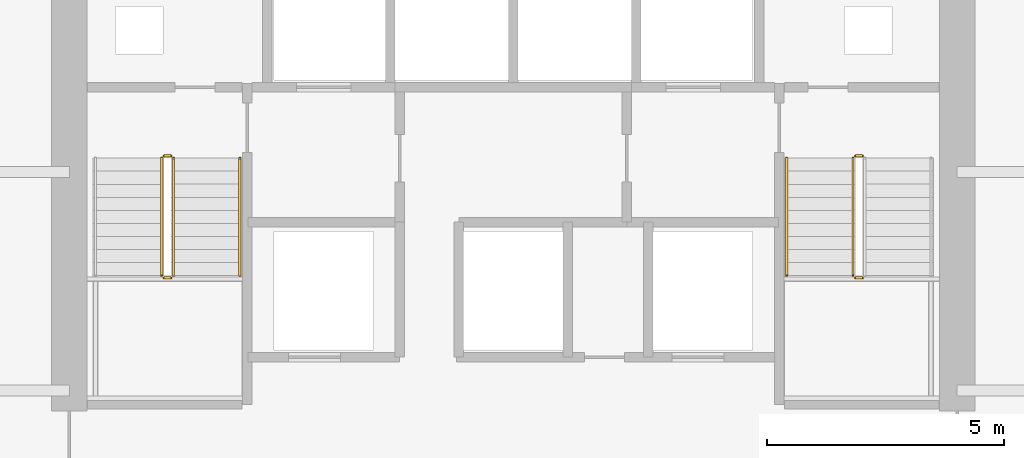
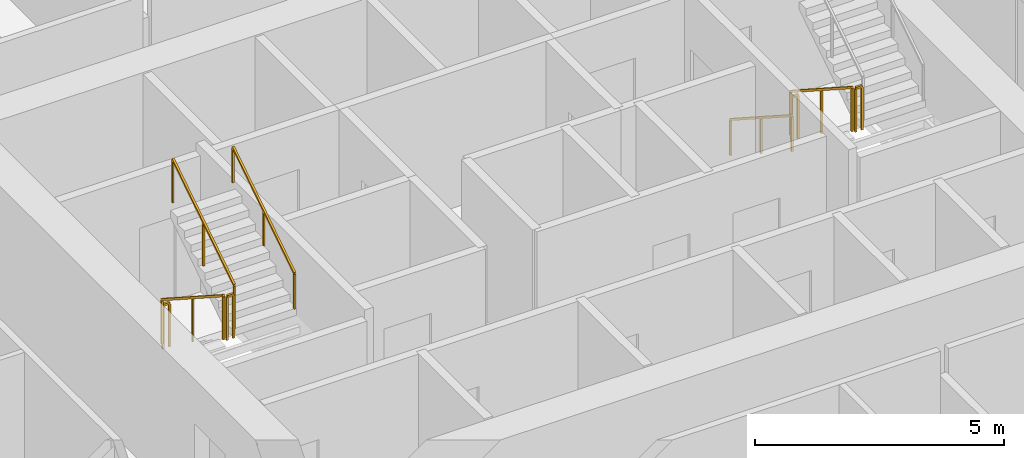
# One storey, part 11 of 12: 9 railings.
"""IFC4 building model written with IfcOpenShell, lengths in metres."""

from ifc_helpers import new_model, si_unit, direction, frame, origin, origin_2d, place, context, subcontext, project, spatial, rectangle, extrude, material, type_object, element, save


model = new_model("IFC4")

# Units and contexts
model_context = context("Model", 3, precision=1e-05, world=origin(), true_north=direction((0.0, 1.0)))
body_context = subcontext(model_context, "Body", "Model", "MODEL_VIEW")
ifc_project = project(units=[si_unit("LENGTHUNIT", "METRE"), si_unit("AREAUNIT", "SQUARE_METRE"), si_unit("VOLUMEUNIT", "CUBIC_METRE"), si_unit("PLANEANGLEUNIT", "RADIAN"), si_unit("MASSUNIT", "GRAM", prefix="KILO")], contexts=[model_context])

# Site, building, storey
site_placement = place(None, origin())
site = spatial("IfcSite", under=ifc_project, at=site_placement, CompositionType="ELEMENT")
building_placement = place(site_placement, origin())
building = spatial("IfcBuilding", under=site, at=building_placement, Name="Cinnabar Lancet Tower", CompositionType="ELEMENT")
storey_placement = place(building_placement, frame((0.0, 0.0, 109.050048828125)))
storey = spatial("IfcBuildingStorey", under=building, at=storey_placement, Name="L28", CompositionType="ELEMENT", Elevation=109.050048828125)

# Railings
ifc_material_1 = material(Name="Painted galvanized steel balustrade", Category="steel")
railing_type_1 = type_object("IfcRailingType", Name="GUARD-STAIR", PredefinedType="GUARDRAIL", material=ifc_material_1)
railing_1_placement = place(storey_placement, frame((24.97509765625, 28.39990234375, 0.177490234375)))
element("IfcRailing", 1, at=railing_1_placement, inside=storey, type_object=railing_type_1, Name="L28 ST-1 stair guard 1", PredefinedType="GUARDRAIL", context=body_context, shape_type="SweptSolid", body=[
    extrude(rectangle(XDim=0.048095703125, YDim=0.048095703125, at=origin_2d()), frame((0.0, 0.0, 1.076171875), z_axis=(0.0, -0.840183358697, 0.542302428327), x_axis=(1.0, 0.0, 0.0)), (0.0, 0.0, 1.0), 2.945556640625),
    extrude(rectangle(XDim=0.0419921875, YDim=0.0419921875, at=origin_2d()), origin(), (0.0, 0.0, 1.0), 1.052001953125),
    extrude(rectangle(XDim=0.0419921875, YDim=0.0419921875, at=origin_2d()), frame((0.0, -1.2373046875, 0.798828125)), (0.0, 0.0, 1.0), 1.052001953125),
    extrude(rectangle(XDim=0.0419921875, YDim=0.0419921875, at=origin_2d()), frame((0.0, -2.474853515625, 1.597412109375)), (0.0, 0.0, 1.0), 1.052001953125),
])
railing_2_placement = place(storey_placement, frame((25.02490234375, 25.875, 1.77490234375)))
element("IfcRailing", 2, at=railing_2_placement, inside=storey, type_object=railing_type_1, Name="L28 ST-1 stair guard 2", PredefinedType="GUARDRAIL", context=body_context, shape_type="SweptSolid", body=[
    extrude(rectangle(XDim=0.048095703125, YDim=0.048095703125, at=origin_2d()), frame((0.0, 0.0, 1.076171875), z_axis=(1.0, 0.0, 0.0), x_axis=(0.0, 1.0, 0.0)), (0.0, 0.0, 1.0), 0.150146484375),
    extrude(rectangle(XDim=0.0419921875, YDim=0.0419921875, at=origin_2d()), origin(), (0.0, 0.0, 1.0), 1.052001953125),
    extrude(rectangle(XDim=0.0419921875, YDim=0.0419921875, at=origin_2d()), frame((0.150146484375, 0.0, 0.0)), (0.0, 0.0, 1.0), 1.052001953125),
])
railing_3_placement = place(storey_placement, frame((25.22509765625, 25.925048828125, 1.952392578125)))
element("IfcRailing", 3, at=railing_3_placement, inside=storey, type_object=railing_type_1, Name="L28 ST-1 stair guard 3", PredefinedType="GUARDRAIL", context=body_context, shape_type="SweptSolid", body=[
    extrude(rectangle(XDim=0.048095703125, YDim=0.048095703125, at=origin_2d()), frame((0.0, 0.0, 1.076171875), z_axis=(0.0, 0.84014559416, 0.542360932049), x_axis=(-1.0, 0.0, 0.0)), (0.0, 0.0, 1.0), 2.94580078125),
    extrude(rectangle(XDim=0.0419921875, YDim=0.0419921875, at=origin_2d()), origin(), (0.0, 0.0, 1.0), 1.052001953125),
    extrude(rectangle(XDim=0.0419921875, YDim=0.0419921875, at=origin_2d()), frame((0.0, 1.2373046875, 0.798828125)), (0.0, 0.0, 1.0), 1.052001953125),
    extrude(rectangle(XDim=0.0419921875, YDim=0.0419921875, at=origin_2d()), frame((0.0, 2.474853515625, 1.59765625)), (0.0, 0.0, 1.0), 1.052001953125),
])
railing_4_placement = place(storey_placement, frame((25.02490234375, 28.449951171875, 0.0)))
element("IfcRailing", 4, at=railing_4_placement, inside=storey, type_object=railing_type_1, Name="L28 ST-1 stair guard 4", PredefinedType="GUARDRAIL", context=body_context, shape_type="SweptSolid", body=[
    extrude(rectangle(XDim=0.048095703125, YDim=0.048095703125, at=origin_2d()), frame((0.0, 0.0, 1.076171875), z_axis=(1.0, 0.0, 0.0), x_axis=(0.0, 1.0, 0.0)), (0.0, 0.0, 1.0), 0.150146484375),
    extrude(rectangle(XDim=0.0419921875, YDim=0.0419921875, at=origin_2d()), origin(), (0.0, 0.0, 1.0), 1.052001953125),
    extrude(rectangle(XDim=0.0419921875, YDim=0.0419921875, at=origin_2d()), frame((0.150146484375, 0.0, 0.0)), (0.0, 0.0, 1.0), 1.052001953125),
])
railing_5_placement = place(storey_placement, frame((39.574951171875, 28.39990234375, 0.177490234375)))
element("IfcRailing", 5, at=railing_5_placement, inside=storey, type_object=railing_type_1, Name="L28 ST-2 stair guard 1", PredefinedType="GUARDRAIL", context=body_context, shape_type="SweptSolid", body=[
    extrude(rectangle(XDim=0.048095703125, YDim=0.048095703125, at=origin_2d()), frame((0.0, 0.0, 1.076171875), z_axis=(0.0, -0.840183358697, 0.542302428327), x_axis=(1.0, 0.0, 0.0)), (0.0, 0.0, 1.0), 2.945556640625),
    extrude(rectangle(XDim=0.0419921875, YDim=0.0419921875, at=origin_2d()), origin(), (0.0, 0.0, 1.0), 1.052001953125),
    extrude(rectangle(XDim=0.0419921875, YDim=0.0419921875, at=origin_2d()), frame((0.0, -1.2373046875, 0.798828125)), (0.0, 0.0, 1.0), 1.052001953125),
    extrude(rectangle(XDim=0.0419921875, YDim=0.0419921875, at=origin_2d()), frame((0.0, -2.474853515625, 1.597412109375)), (0.0, 0.0, 1.0), 1.052001953125),
])
for number, where, name in (
    (6, (39.625, 25.875, 1.77490234375), "L28 ST-2 stair guard 2"),
    (7, (39.625, 28.449951171875, 0.0), "L28 ST-2 stair guard 4"),
):
    element("IfcRailing", number, at=place(storey_placement, frame(where)), inside=storey, type_object=railing_type_1, Name=name, PredefinedType="GUARDRAIL", context=body_context, shape_type="SweptSolid", body=[
        extrude(rectangle(XDim=0.048095703125, YDim=0.048095703125, at=origin_2d()), frame((0.0, 0.0, 1.076171875), z_axis=(1.0, 0.0, 0.0), x_axis=(0.0, 1.0, 0.0)), (0.0, 0.0, 1.0), 0.14990234375),
        extrude(rectangle(XDim=0.0419921875, YDim=0.0419921875, at=origin_2d()), origin(), (0.0, 0.0, 1.0), 1.052001953125),
        extrude(rectangle(XDim=0.0419921875, YDim=0.0419921875, at=origin_2d()), frame((0.14990234375, 0.0, 0.0)), (0.0, 0.0, 1.0), 1.052001953125),
    ])
ifc_material_2 = material(Name="Brushed stainless steel handrail", Category="steel")
railing_type_2 = type_object("IfcRailingType", Name="HANDRAIL-STAIR", PredefinedType="HANDRAIL", material=ifc_material_2)
railing_6_placement = place(storey_placement, frame((26.625, 25.925048828125, 1.952392578125)))
element("IfcRailing", 8, at=railing_6_placement, inside=storey, type_object=railing_type_2, Name="L28 ST-1 stair handrail 2", PredefinedType="HANDRAIL", context=body_context, shape_type="SweptSolid", body=[
    extrude(rectangle(XDim=0.048095703125, YDim=0.048095703125, at=origin_2d()), frame((0.0, 0.0, 0.8759765625), z_axis=(0.0, 0.84014559416, 0.542360932049), x_axis=(-1.0, 0.0, 0.0)), (0.0, 0.0, 1.0), 2.94580078125),
    extrude(rectangle(XDim=0.0419921875, YDim=0.0419921875, at=origin_2d()), origin(), (0.0, 0.0, 1.0), 0.851806640625),
    extrude(rectangle(XDim=0.0419921875, YDim=0.0419921875, at=origin_2d()), frame((0.0, 1.2373046875, 0.798828125)), (0.0, 0.0, 1.0), 0.851806640625),
    extrude(rectangle(XDim=0.0419921875, YDim=0.0419921875, at=origin_2d()), frame((0.0, 2.474853515625, 1.59765625)), (0.0, 0.0, 1.0), 0.851806640625),
])
railing_7_placement = place(storey_placement, frame((38.175048828125, 28.39990234375, 0.177490234375)))
element("IfcRailing", 9, at=railing_7_placement, inside=storey, type_object=railing_type_2, Name="L28 ST-2 stair handrail 1", PredefinedType="HANDRAIL", context=body_context, shape_type="SweptSolid", body=[
    extrude(rectangle(XDim=0.048095703125, YDim=0.048095703125, at=origin_2d()), frame((0.0, 0.0, 0.8759765625), z_axis=(0.0, -0.840183358697, 0.542302428327), x_axis=(1.0, 0.0, 0.0)), (0.0, 0.0, 1.0), 2.945556640625),
    extrude(rectangle(XDim=0.0419921875, YDim=0.0419921875, at=origin_2d()), origin(), (0.0, 0.0, 1.0), 0.851806640625),
    extrude(rectangle(XDim=0.0419921875, YDim=0.0419921875, at=origin_2d()), frame((0.0, -1.2373046875, 0.798828125)), (0.0, 0.0, 1.0), 0.851806640625),
    extrude(rectangle(XDim=0.0419921875, YDim=0.0419921875, at=origin_2d()), frame((0.0, -2.474853515625, 1.597412109375)), (0.0, 0.0, 1.0), 0.851806640625),
])

save(model, "model.ifc")
